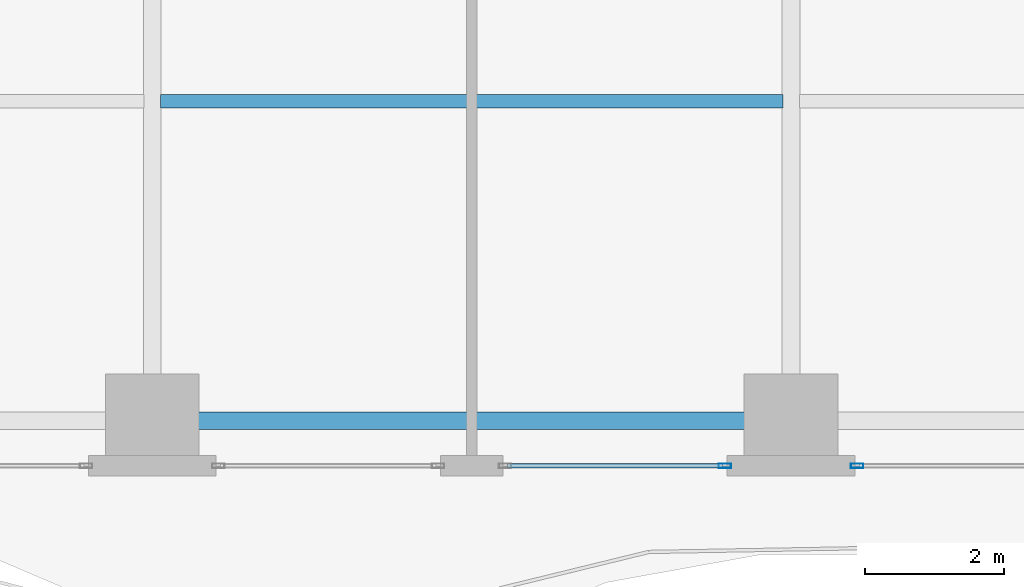
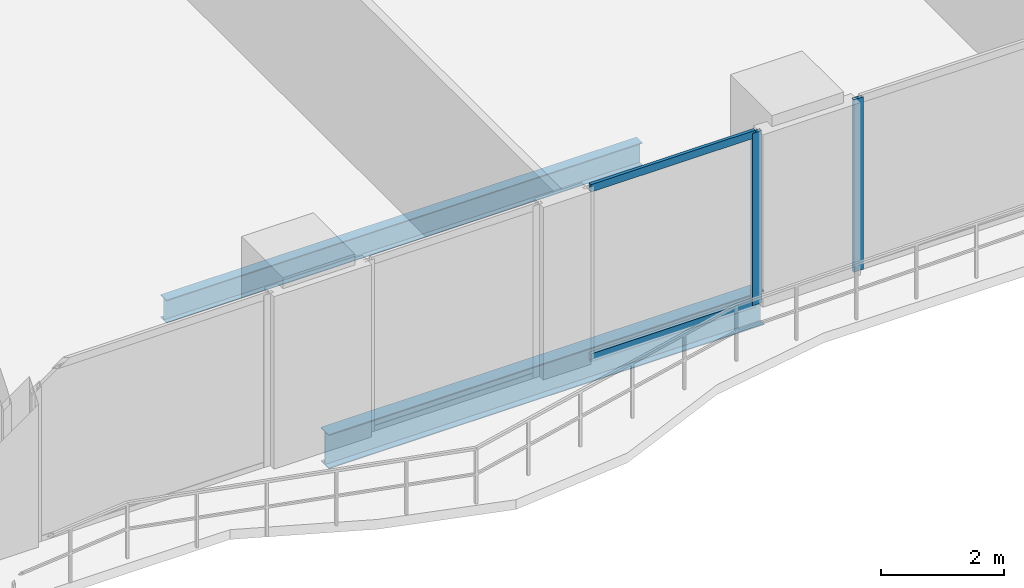
# One storey, part 5 of 29: 4 members, 2 beams, 2 elements without a shape of their own.
"""IFC4 building model written with IfcOpenShell, lengths in metres."""

from ifc_helpers import new_model, si_unit, direction, frame, origin, origin_2d, place, context, subcontext, project, spatial, hollow_rectangle, i_section, extrude, material, layer, layer_set, material_profile, profile_set, type_object, element, aggregate, save


model = new_model("IFC4")

# Units and contexts
model_context = context("Model", 3, precision=1e-05, world=origin(), true_north=direction((0.0, 1.0)))
body_context = subcontext(model_context, "Body", "Model", "MODEL_VIEW")
ifc_project = project(units=[si_unit("LENGTHUNIT", "METRE"), si_unit("AREAUNIT", "SQUARE_METRE"), si_unit("VOLUMEUNIT", "CUBIC_METRE"), si_unit("PLANEANGLEUNIT", "RADIAN"), si_unit("MASSUNIT", "GRAM", prefix="KILO")], contexts=[model_context])

# Site, building, storey
site_placement = place(None, origin())
site = spatial("IfcSite", under=ifc_project, at=site_placement, CompositionType="ELEMENT")
building_placement = place(site_placement, origin())
building = spatial("IfcBuilding", under=site, at=building_placement, Name="Zuhayl Quay Hotel", CompositionType="ELEMENT")
storey_placement = place(building_placement, frame((0.0, 0.0, 132.14990234375)))
storey = spatial("IfcBuildingStorey", under=building, at=storey_placement, Name="L33", CompositionType="ELEMENT", Elevation=132.14990234375)

# Beams
ifc_material_1 = material(Name="Steel ASTM A992 Grade 50", Category="steel")
ifc_material_profile_1 = material_profile(ifc_material_1, i_section(OverallWidth=0.25390625, OverallDepth=0.68310546875, WebThickness=0.012451171875, FlangeThickness=0.018798828125, at=origin_2d()), Name="W27X94")
ifc_profile_set_1 = profile_set([ifc_material_profile_1], Name="Steel ASTM A992 Grade 50")
beam_type_1 = type_object("IfcBeamType", Name="BM_B2_W27X94", PredefinedType="BEAM", material=ifc_profile_set_1)
beam_1_placement = place(storey_placement, frame((-4.10009765625, -14.75, -0.5615234375), z_axis=(1.0, 0.0, 0.0), x_axis=(0.0, 1.0, 0.0)))
element("IfcBeam", 1, at=beam_1_placement, inside=storey, type_object=beam_type_1, Name="L33 Floor Beam RG_L33_02", PredefinedType="BEAM", context=body_context, shape_type="SweptSolid", body=[
    extrude(i_section(OverallWidth=0.25390625, OverallDepth=0.68310546875, WebThickness=0.012451171875, FlangeThickness=0.018798828125, at=origin_2d()), origin(), (0.0, 0.0, 1.0), 8.2001953125),
])
ifc_material_profile_2 = material_profile(ifc_material_1, i_section(OverallWidth=0.18994140625, OverallDepth=0.45703125, WebThickness=0.009033203125, FlangeThickness=0.014404296875, at=origin_2d()), Name="W18X50")
ifc_profile_set_2 = profile_set([ifc_material_profile_2], Name="Steel ASTM A992 Grade 50")
beam_type_2 = type_object("IfcBeamType", Name="BM_J2_W18X50", PredefinedType="JOIST", material=ifc_profile_set_2)
beam_2_placement = place(storey_placement, frame((-4.48095703125, -10.14990234375, -0.448486328125), z_axis=(1.0, 0.0, 0.0), x_axis=(0.0, 1.0, 0.0)))
element("IfcBeam", 2, at=beam_2_placement, inside=storey, type_object=beam_type_2, Name="L33 Floor Beam FJ_L33_5_2", PredefinedType="JOIST", context=body_context, shape_type="SweptSolid", body=[
    extrude(i_section(OverallWidth=0.18994140625, OverallDepth=0.45703125, WebThickness=0.009033203125, FlangeThickness=0.014404296875, at=origin_2d()), origin(), (0.0, 0.0, 1.0), 8.9619140625),
])

# Curtain wall, member
ifc_material_2 = material(Name="Anodised Aluminium 6063-T6", Category="aluminium")
ifc_layer = layer(ifc_material_2, 0.179931640625, Name="Anodised Aluminium 6063-T6", Category="aluminium")
ifc_layer_set = layer_set([ifc_layer], Name="Anodised Aluminium 6063-T6")
curtain_wall_type = type_object("IfcCurtainWallType", Name="CW_SYS_Z2", PredefinedType="USERDEFINED", material=ifc_layer_set)
curtain_wall_1_placement = place(storey_placement, origin())
curtain_wall_1 = element("IfcCurtainWall", 3, at=curtain_wall_1_placement, inside=storey, type_object=curtain_wall_type, Name="L33 Curtain Wall ENV_L33_S_CW2", ObjectType="UNITISED CURTAIN WALL", PredefinedType="USERDEFINED")
ifc_material_3 = material(Name="Black-anodised aluminium 6063-T6", Category="aluminium")
ifc_material_profile_3 = material_profile(ifc_material_3, hollow_rectangle(XDim=0.06494140625, YDim=0.179931640625, WallThickness=0.00341796875, at=origin_2d()), Name="ALU180X65")
ifc_profile_set_3 = profile_set([ifc_material_profile_3], Name="Black-anodised aluminium 6063-T6")
member_type_1 = type_object("IfcMemberType", Name="MB_CW_MUL_180", PredefinedType="MULLION", material=ifc_profile_set_3)
member_1_placement = place(storey_placement, frame((5.552490234375, -15.39990234375, 0.0), z_axis=(0.0, 0.0, 1.0), x_axis=(0.0, -1.0, 0.0)))
member_1 = element("IfcMember", 4, at=member_1_placement, type_object=member_type_1, Name="CW-Z2 mullion 2", PredefinedType="MULLION", context=body_context, shape_type="SweptSolid", body=[
    extrude(hollow_rectangle(XDim=0.06494140625, YDim=0.179931640625, WallThickness=0.00341796875, at=origin_2d()), origin(), (0.0, 0.0, 1.0), 3.43017578125),
])
aggregate(curtain_wall_1, [member_1])

# Curtain wall, members
curtain_wall_2_placement = place(storey_placement, origin())
curtain_wall_2 = element("IfcCurtainWall", 5, at=curtain_wall_2_placement, inside=storey, type_object=curtain_wall_type, Name="L33 Curtain Wall ENV_L33_S_CW3", ObjectType="UNITISED CURTAIN WALL", PredefinedType="USERDEFINED")
member_2_placement = place(storey_placement, frame((3.6474609375, -15.39990234375, 0.0), z_axis=(0.0, 0.0, 1.0), x_axis=(0.0, -1.0, 0.0)))
member_2 = element("IfcMember", 6, at=member_2_placement, type_object=member_type_1, Name="CW-Z2 mullion 1", PredefinedType="MULLION", context=body_context, shape_type="SweptSolid", body=[
    extrude(hollow_rectangle(XDim=0.06494140625, YDim=0.179931640625, WallThickness=0.00341796875, at=origin_2d()), origin(), (0.0, 0.0, 1.0), 3.43017578125),
])
ifc_material_profile_4 = material_profile(ifc_material_3, hollow_rectangle(XDim=0.06005859375, YDim=0.14990234375, WallThickness=0.00341796875, at=origin_2d()), Name="ALU150X60")
ifc_profile_set_4 = profile_set([ifc_material_profile_4], Name="Black-anodised aluminium 6063-T6")
member_type_2 = type_object("IfcMemberType", Name="MB_CW_TRN_150", PredefinedType="USERDEFINED", material=ifc_profile_set_4)
member_3_placement = place(storey_placement, frame((3.614990234375, -15.39990234375, 0.030029296875), z_axis=(-1.0, 0.0, 0.0), x_axis=(0.0, -1.0, 0.0)))
member_3 = element("IfcMember", 7, at=member_3_placement, type_object=member_type_2, Name="CW-Z2 transom 1.1", ObjectType="TRANSOM", PredefinedType="USERDEFINED", context=body_context, shape_type="SweptSolid", body=[
    extrude(hollow_rectangle(XDim=0.06005859375, YDim=0.14990234375, WallThickness=0.00341796875, at=origin_2d()), origin(), (0.0, 0.0, 1.0), 3.10009765625),
])
member_4_placement = place(storey_placement, frame((3.614990234375, -15.39990234375, 3.400146484375), z_axis=(-1.0, 0.0, 0.0), x_axis=(0.0, -1.0, 0.0)))
member_4 = element("IfcMember", 8, at=member_4_placement, type_object=member_type_2, Name="CW-Z2 transom 1.2", ObjectType="TRANSOM", PredefinedType="USERDEFINED", context=body_context, shape_type="SweptSolid", body=[
    extrude(hollow_rectangle(XDim=0.06005859375, YDim=0.14990234375, WallThickness=0.00341796875, at=origin_2d()), origin(), (0.0, 0.0, 1.0), 3.10009765625),
])
aggregate(curtain_wall_2, [member_2, member_3, member_4])

save(model, "model.ifc")
